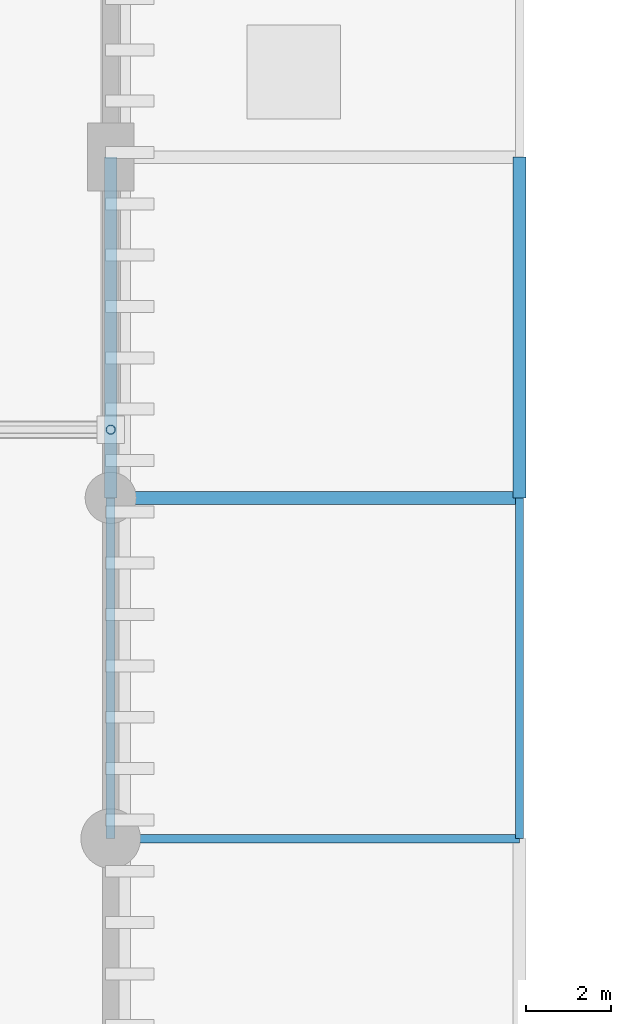
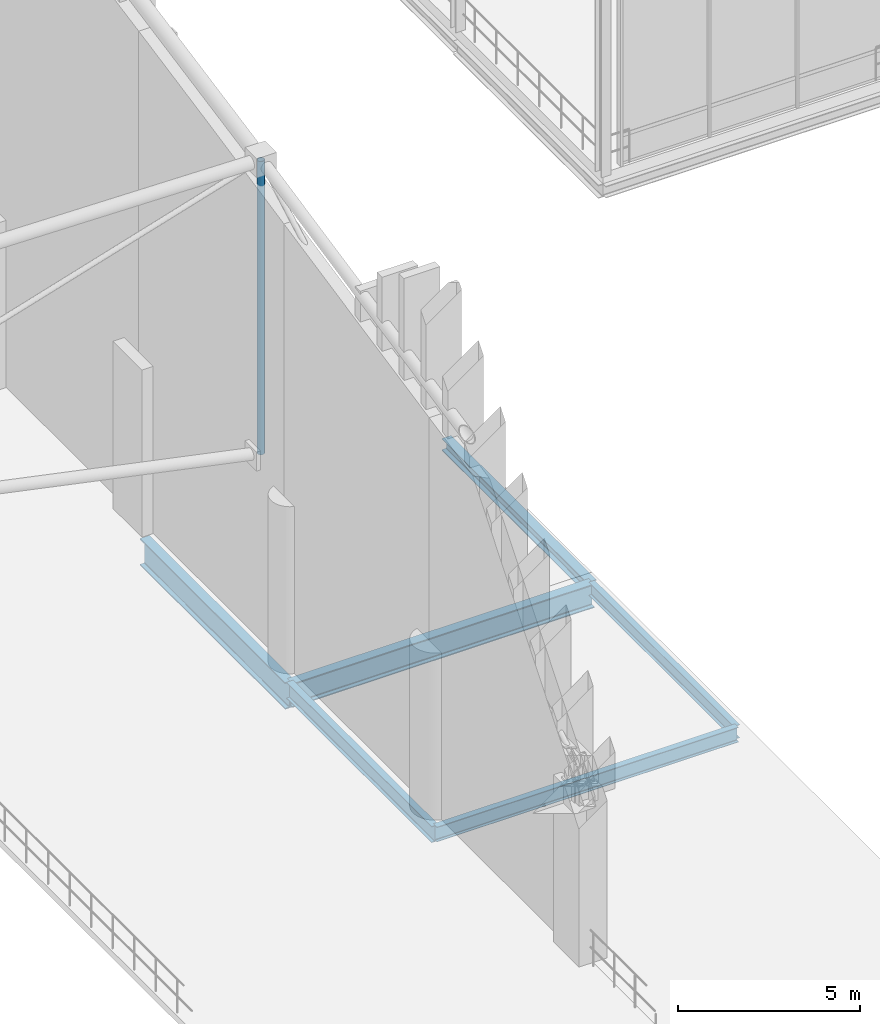
# One storey, part 64 of 193: 6 beams, 1 member.
"""IFC4 building model written with IfcOpenShell, lengths in metres."""

from ifc_helpers import new_model, si_unit, direction, frame, origin, origin_2d, place, context, subcontext, project, spatial, hollow_circle, i_section, extrude, material, material_profile, profile_set, type_object, element, save


model = new_model("IFC4")

# Units and contexts
model_context = context("Model", 3, precision=1e-05, world=origin(), true_north=direction((0.0, 1.0)))
body_context = subcontext(model_context, "Body", "Model", "MODEL_VIEW")
ifc_project = project(units=[si_unit("LENGTHUNIT", "METRE"), si_unit("AREAUNIT", "SQUARE_METRE"), si_unit("VOLUMEUNIT", "CUBIC_METRE"), si_unit("PLANEANGLEUNIT", "RADIAN"), si_unit("MASSUNIT", "GRAM", prefix="KILO")], contexts=[model_context])

# Site, building, storey
site_placement = place(None, origin())
site = spatial("IfcSite", under=ifc_project, at=site_placement, CompositionType="ELEMENT")
building_placement = place(site_placement, origin())
building = spatial("IfcBuilding", under=site, at=building_placement, Name="Danafjord Basin Convention Centre", CompositionType="ELEMENT")
storey_placement = place(building_placement, frame((0.0, 0.0, 11.39990234375)))
storey = spatial("IfcBuildingStorey", under=building, at=storey_placement, Name="L02", CompositionType="ELEMENT", Elevation=11.39990234375)

# Beams
ifc_material = material(Name="Steel S355", Category="steel")
ifc_material_profile_1 = material_profile(ifc_material, i_section(OverallWidth=0.300048828125, OverallDepth=0.800048828125, WebThickness=0.017578125, FlangeThickness=0.032958984375, FilletRadius=0.030029296875, at=origin_2d()), Name="HEB 800")
ifc_profile_set_1 = profile_set([ifc_material_profile_1], Name="Steel S355")
beam_type_1 = type_object("IfcBeamType", Name="BEAM-BM-HEB800", PredefinedType="BEAM", material=ifc_profile_set_1)
beam_1_placement = place(storey_placement, frame((115.199951171875, 72.0, -1.06494140625), z_axis=(1.0, 0.0, 0.0), x_axis=(0.0, 1.0, 0.0)))
element("IfcBeam", 1, at=beam_1_placement, inside=storey, type_object=beam_type_1, Name="L02 girder BM-HEB800", PredefinedType="BEAM", context=body_context, shape_type="SweptSolid", body=[
    extrude(i_section(OverallWidth=0.300048828125, OverallDepth=0.800048828125, WebThickness=0.017578125, FlangeThickness=0.032958984375, FilletRadius=0.030029296875, at=origin_2d()), origin(), (0.0, 0.0, 1.0), 9.60009765625),
])
ifc_material_profile_2 = material_profile(ifc_material, i_section(OverallWidth=0.300048828125, OverallDepth=0.89990234375, WebThickness=0.0185546875, FlangeThickness=0.034912109375, FilletRadius=0.030029296875, at=origin_2d()), Name="HEB 900")
ifc_profile_set_2 = profile_set([ifc_material_profile_2], Name="Steel S355")
beam_type_2 = type_object("IfcBeamType", Name="BEAM-BM-HEB900", PredefinedType="BEAM", material=ifc_profile_set_2)
beam_2_placement = place(storey_placement, frame((115.199951171875, 72.0, -1.114990234375), z_axis=(0.0, 1.0, 0.0), x_axis=(-1.0, 0.0, 0.0)))
element("IfcBeam", 2, at=beam_2_placement, inside=storey, type_object=beam_type_2, Name="L02 transverse girder BM-HEB900", PredefinedType="BEAM", context=body_context, shape_type="SweptSolid", body=[
    extrude(i_section(OverallWidth=0.300048828125, OverallDepth=0.89990234375, WebThickness=0.0185546875, FlangeThickness=0.034912109375, FilletRadius=0.030029296875, at=origin_2d()), origin(), (0.0, 0.0, 1.0), 8.0),
])
ifc_material_profile_3 = material_profile(ifc_material, i_section(OverallWidth=0.199951171875, OverallDepth=0.5, WebThickness=0.01025390625, FlangeThickness=0.01611328125, FilletRadius=0.02099609375, at=origin_2d()), Name="IPE 500")
ifc_profile_set_3 = profile_set([ifc_material_profile_3], Name="Steel S355")
beam_type_3 = type_object("IfcBeamType", Name="BEAM-BM-IPE500", PredefinedType="BEAM", material=ifc_profile_set_3)
beam_3_placement = place(storey_placement, frame((115.199951171875, 64.0, -0.914794921875), z_axis=(1.0, 0.0, 0.0), x_axis=(0.0, 1.0, 0.0)))
element("IfcBeam", 3, at=beam_3_placement, inside=storey, type_object=beam_type_3, Name="L02 girder BM-IPE500", PredefinedType="BEAM", context=body_context, shape_type="SweptSolid", body=[
    extrude(i_section(OverallWidth=0.199951171875, OverallDepth=0.5, WebThickness=0.01025390625, FlangeThickness=0.01611328125, FilletRadius=0.02099609375, at=origin_2d()), origin(), (0.0, 0.0, 1.0), 9.60009765625),
])
ifc_material_profile_4 = material_profile(ifc_material, i_section(OverallWidth=0.2099609375, OverallDepth=0.550048828125, WebThickness=0.010986328125, FlangeThickness=0.01708984375, FilletRadius=0.02392578125, at=origin_2d()), Name="IPE 550")
ifc_profile_set_4 = profile_set([ifc_material_profile_4], Name="Steel S355")
beam_type_4 = type_object("IfcBeamType", Name="BEAM-BM-IPE550", PredefinedType="BEAM", material=ifc_profile_set_4)
beam_4_placement = place(storey_placement, frame((115.199951171875, 64.0, -0.93994140625), z_axis=(0.0, 1.0, 0.0), x_axis=(-1.0, 0.0, 0.0)))
element("IfcBeam", 4, at=beam_4_placement, inside=storey, type_object=beam_type_4, Name="L02 transverse girder BM-IPE550", PredefinedType="BEAM", context=body_context, shape_type="SweptSolid", body=[
    extrude(i_section(OverallWidth=0.2099609375, OverallDepth=0.550048828125, WebThickness=0.010986328125, FlangeThickness=0.01708984375, FilletRadius=0.02392578125, at=origin_2d()), origin(), (0.0, 0.0, 1.0), 8.0),
])
ifc_material_profile_5 = material_profile(ifc_material, i_section(OverallWidth=0.300048828125, OverallDepth=0.39990234375, WebThickness=0.013427734375, FlangeThickness=0.02392578125, FilletRadius=0.027099609375, at=origin_2d()), Name="HEB 400")
ifc_profile_set_5 = profile_set([ifc_material_profile_5], Name="Steel S355")
beam_type_5 = type_object("IfcBeamType", Name="BEAM-SP-HEB400", PredefinedType="SPANDREL", material=ifc_profile_set_5)
beam_5_placement = place(storey_placement, frame((124.800048828125, 72.0, -0.864990234375), z_axis=(0.0, 1.0, 0.0), x_axis=(-1.0, 0.0, 0.0)))
element("IfcBeam", 5, at=beam_5_placement, inside=storey, type_object=beam_type_5, Name="L02 transverse girder SP-HEB400", PredefinedType="SPANDREL", context=body_context, shape_type="SweptSolid", body=[
    extrude(i_section(OverallWidth=0.300048828125, OverallDepth=0.39990234375, WebThickness=0.013427734375, FlangeThickness=0.02392578125, FilletRadius=0.027099609375, at=origin_2d()), origin(), (0.0, 0.0, 1.0), 8.0),
])
ifc_material_profile_6 = material_profile(ifc_material, i_section(OverallWidth=0.18994140625, OverallDepth=0.449951171875, WebThickness=0.009521484375, FlangeThickness=0.0146484375, FilletRadius=0.02099609375, at=origin_2d()), Name="IPE 450")
ifc_profile_set_6 = profile_set([ifc_material_profile_6], Name="Steel S355")
beam_type_6 = type_object("IfcBeamType", Name="BEAM-SP-IPE450", PredefinedType="SPANDREL", material=ifc_profile_set_6)
beam_6_placement = place(storey_placement, frame((124.800048828125, 64.0, -0.889892578125), z_axis=(0.0, 1.0, 0.0), x_axis=(-1.0, 0.0, 0.0)))
element("IfcBeam", 6, at=beam_6_placement, inside=storey, type_object=beam_type_6, Name="L02 transverse girder SP-IPE450", PredefinedType="SPANDREL", context=body_context, shape_type="SweptSolid", body=[
    extrude(i_section(OverallWidth=0.18994140625, OverallDepth=0.449951171875, WebThickness=0.009521484375, FlangeThickness=0.0146484375, FilletRadius=0.02099609375, at=origin_2d()), origin(), (0.0, 0.0, 1.0), 8.0),
])

# Member
ifc_material_profile_7 = material_profile(ifc_material, hollow_circle(Radius=0.109619140625, WallThickness=0.010009765625, at=origin_2d()), Name="CHS 219.1x10.0")
ifc_profile_set_7 = profile_set([ifc_material_profile_7], Name="Steel S355")
member_type = type_object("IfcMemberType", Name="MEM-ST-CHS219", PredefinedType="STRUT", material=ifc_profile_set_7)
member_placement = place(storey_placement, frame((115.199951171875, 73.60009765625, 6.050048828125), z_axis=(0.0, 0.0, 1.0), x_axis=(1.0, 0.0, 0.0)))
element("IfcMember", 7, at=member_placement, inside=storey, type_object=member_type, Name="V1 roof truss vertical strut", PredefinedType="STRUT", context=body_context, shape_type="SweptSolid", body=[
    extrude(hollow_circle(Radius=0.109619140625, WallThickness=0.010009765625, at=origin_2d()), origin(), (0.0, 0.0, 1.0), 9.86083984375),
])

save(model, "model.ifc")
